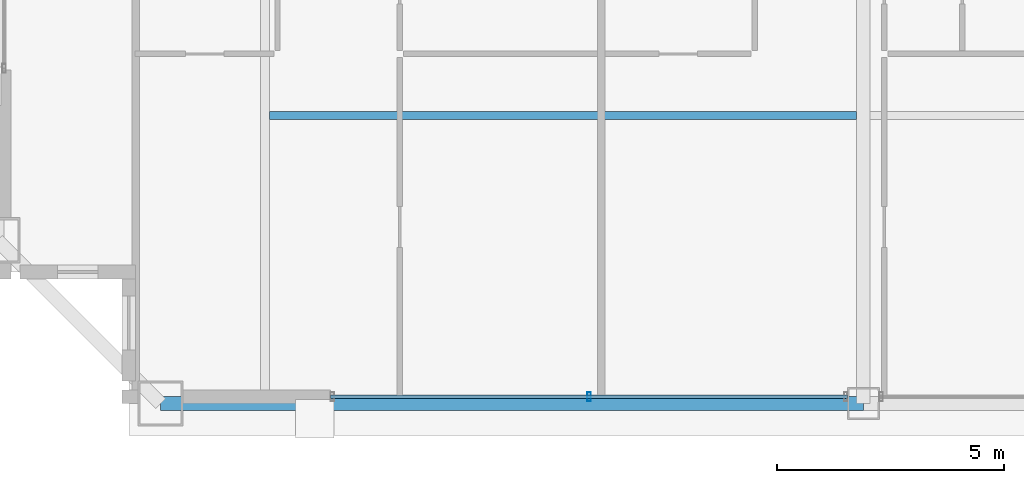
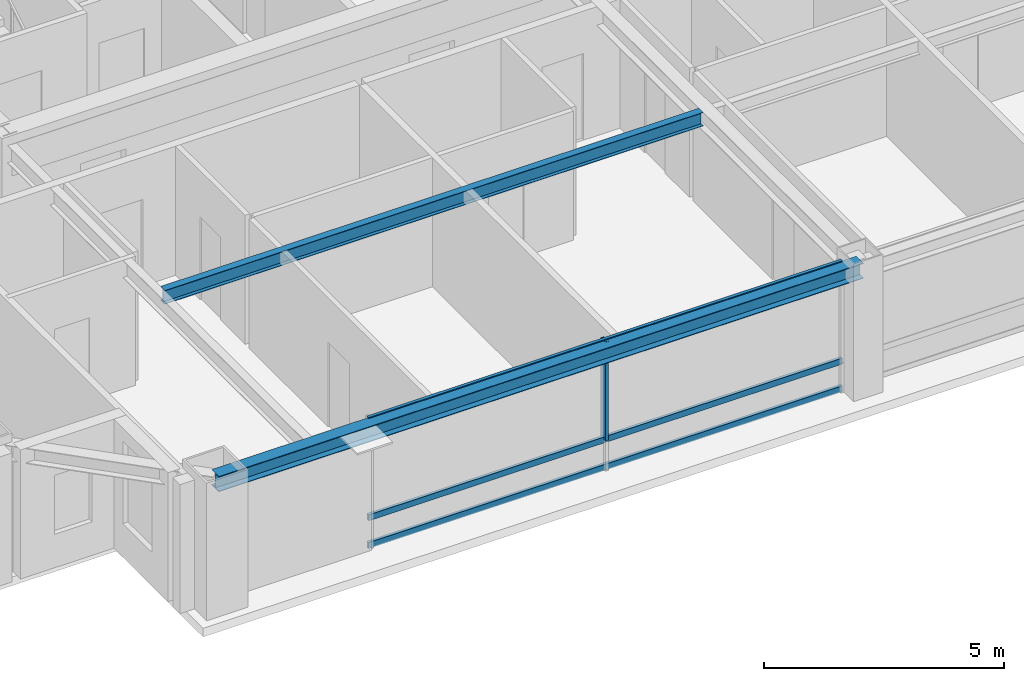
# One storey, part 5 of 35: 4 members, 2 beams, 1 element without a shape of its own.
"""IFC4 building model written with IfcOpenShell, lengths in metres."""

from ifc_helpers import new_model, si_unit, direction, frame, origin, origin_2d, place, context, subcontext, project, spatial, hollow_rectangle, i_section, extrude, source, transform, mapped, material, layer, layer_set, material_profile, profile_set, type_object, element, aggregate, save


model = new_model("IFC4")

# Units and contexts
model_context = context("Model", 3, precision=1e-05, world=origin(), true_north=direction((0.0, 1.0)))
body_context = subcontext(model_context, "Body", "Model", "MODEL_VIEW")
ifc_project = project(units=[si_unit("LENGTHUNIT", "METRE"), si_unit("AREAUNIT", "SQUARE_METRE"), si_unit("VOLUMEUNIT", "CUBIC_METRE"), si_unit("PLANEANGLEUNIT", "RADIAN"), si_unit("MASSUNIT", "GRAM", prefix="KILO"), si_unit("THERMODYNAMICTEMPERATUREUNIT", "KELVIN"), si_unit("POWERUNIT", "WATT")], contexts=[model_context])

# Site, building, storey
site_placement = place(None, origin())
site = spatial("IfcSite", under=ifc_project, at=site_placement, CompositionType="ELEMENT")
building_placement = place(site_placement, origin())
building = spatial("IfcBuilding", under=site, at=building_placement, Name="Yuzanri Waterfront Tower", CompositionType="ELEMENT")
storey_placement = place(building_placement, frame((0.0, 0.0, 318.199951171875)))
storey = spatial("IfcBuildingStorey", under=building, at=storey_placement, Name="L85", CompositionType="ELEMENT", Elevation=318.199951171875)

# Beams
ifc_material_1 = material(Name="Steel Q355B", Category="steel")
ifc_material_profile_1 = material_profile(ifc_material_1, i_section(OverallWidth=0.175048828125, OverallDepth=0.35009765625, WebThickness=0.007080078125, FlangeThickness=0.010986328125, at=origin_2d()), Name="HN 350x175x7x11")
ifc_profile_set_1 = profile_set([ifc_material_profile_1], Name="Steel Q355B")
beam_type_1 = type_object("IfcBeamType", Name="Floor Joist Q355B HN 350x175", PredefinedType="JOIST", material=ifc_profile_set_1)
shared_shape_1 = source(origin(), body_context, "Body", "SweptSolid", [
    extrude(i_section(OverallWidth=0.175048828125, OverallDepth=0.35009765625, WebThickness=0.007080078125, FlangeThickness=0.010986328125, at=origin_2d()), origin(), (0.0, 0.0, 1.0), 12.9501953125),
])
beam_1_placement = place(storey_placement, frame((23.89990234375, 13.050048828125, 3.10498046875), z_axis=(1.0, 0.0, 0.0), x_axis=(0.0, 1.0, 0.0)))
element("IfcBeam", 1, at=beam_1_placement, inside=storey, type_object=beam_type_1, Name="L85 South Bay Joist W", PredefinedType="JOIST", context=body_context, shape_type="MappedRepresentation", body=[
    mapped(shared_shape_1, transform((0.0, 0.0, 0.0), scale=1.0)),
])
ifc_material_2 = material(Name="Steel Q355B", Category="steel")
ifc_material_profile_2 = material_profile(ifc_material_2, i_section(OverallWidth=0.300048828125, OverallDepth=0.389892578125, WebThickness=0.010009765625, FlangeThickness=0.01611328125, at=origin_2d()), Name="HM 390x300x10x16")
ifc_profile_set_2 = profile_set([ifc_material_profile_2], Name="Steel Q355B")
beam_type_2 = type_object("IfcBeamType", Name="Perimeter Spandrel Q355B HM 390x300", PredefinedType="SPANDREL", material=ifc_profile_set_2)
shared_shape_2 = source(origin(), body_context, "Body", "SweptSolid", [
    extrude(i_section(OverallWidth=0.300048828125, OverallDepth=0.389892578125, WebThickness=0.010009765625, FlangeThickness=0.01611328125, at=origin_2d()), origin(), (0.0, 0.0, 1.0), 15.5),
])
beam_2_placement = place(storey_placement, frame((21.5, 6.699951171875, 3.0849609375), z_axis=(1.0, 0.0, 0.0), x_axis=(0.0, 1.0, 0.0)))
element("IfcBeam", 2, at=beam_2_placement, inside=storey, type_object=beam_type_2, Name="L85 Perimeter Spandrel S1-S2", PredefinedType="SPANDREL", context=body_context, shape_type="MappedRepresentation", body=[
    mapped(shared_shape_2, transform((0.0, 0.0, 0.0), scale=1.0)),
])

# Curtain wall, members
ifc_material_3 = material(Name="Anodized Architectural Bronze", Category="metal")
ifc_layer = layer(ifc_material_3, 0.159912109375)
ifc_layer_set = layer_set([ifc_layer], Name="Anodized Architectural Bronze")
curtain_wall_type = type_object("IfcCurtainWallType", Name="Anodized Bronze High-Rise Penthouse High-Wind Unitized Curtain Wall 6900", PredefinedType="NOTDEFINED", material=ifc_layer_set)
curtain_wall_placement = place(storey_placement, origin())
curtain_wall = element("IfcCurtainWall", 3, at=curtain_wall_placement, inside=storey, type_object=curtain_wall_type, Name="L85 Curtain Wall CW-L85-SL", PredefinedType="NOTDEFINED")
ifc_material_4 = material(Name="Anodized Architectural Bronze", Category="metal")
ifc_material_profile_3 = material_profile(ifc_material_4, hollow_rectangle(XDim=0.074951171875, YDim=0.199951171875, WallThickness=0.00390625, at=origin_2d()), Name="CWM 75x200")
ifc_profile_set_3 = profile_set([ifc_material_profile_3], Name="Anodized Architectural Bronze")
member_type_1 = type_object("IfcMemberType", Name="Anodized Bronze Primary Curtain-Wall Mullion 75x200", PredefinedType="MULLION", material=ifc_profile_set_3)
shared_shape_3 = source(origin(), body_context, "Body", "SweptSolid", [
    extrude(hollow_rectangle(XDim=0.074951171875, YDim=0.199951171875, WallThickness=0.00390625, at=origin_2d()), origin(), (0.0, 0.0, 1.0), 2.52392578125),
])
member_1_placement = place(storey_placement, frame((30.949951171875, 6.85009765625, 0.756103515625), z_axis=(0.0, 0.0, 1.0), x_axis=(1.0, 0.0, 0.0)))
member_1 = element("IfcMember", 4, at=member_1_placement, type_object=member_type_1, Name="CW-L85-SL Upper Mullion 01", PredefinedType="MULLION", context=body_context, shape_type="MappedRepresentation", body=[
    mapped(shared_shape_3, transform((0.0, 0.0, 0.0), scale=1.0)),
])
ifc_material_5 = material(Name="Anodized Architectural Bronze", Category="metal")
ifc_material_profile_4 = material_profile(ifc_material_5, hollow_rectangle(XDim=0.074951171875, YDim=0.14990234375, WallThickness=0.00390625, at=origin_2d()), Name="CWT 75x150")
ifc_profile_set_4 = profile_set([ifc_material_profile_4], Name="Anodized Architectural Bronze")
member_type_2 = type_object("IfcMemberType", Name="Anodized Bronze Primary Curtain-Wall Transom 75x150", PredefinedType="USERDEFINED", material=ifc_profile_set_4)
shared_shape_4 = source(origin(), body_context, "Body", "SweptSolid", [
    extrude(hollow_rectangle(XDim=0.074951171875, YDim=0.14990234375, WallThickness=0.00390625, at=origin_2d()), origin(), (0.0, 0.0, 1.0), 11.39990234375),
])
member_2_placement = place(storey_placement, frame((25.25, 6.85009765625, 0.050048828125), z_axis=(1.0, 0.0, 0.0), x_axis=(0.0, 1.0, 0.0)))
member_2 = element("IfcMember", 5, at=member_2_placement, type_object=member_type_2, Name="CW-L85-SL Transom 1", ObjectType="TRANSOM", PredefinedType="USERDEFINED", context=body_context, shape_type="MappedRepresentation", body=[
    mapped(shared_shape_4, transform((0.0, 0.0, 0.0), scale=1.0)),
])
member_3_placement = place(storey_placement, frame((25.25, 6.85009765625, 0.754150390625), z_axis=(1.0, 0.0, 0.0), x_axis=(0.0, 1.0, 0.0)))
member_3 = element("IfcMember", 6, at=member_3_placement, type_object=member_type_2, Name="CW-L85-SL Transom 2", ObjectType="TRANSOM", PredefinedType="USERDEFINED", context=body_context, shape_type="MappedRepresentation", body=[
    mapped(shared_shape_4, transform((0.0, 0.0, 0.0), scale=1.0)),
])
member_4_placement = place(storey_placement, frame((25.25, 6.85009765625, 3.22998046875), z_axis=(1.0, 0.0, 0.0), x_axis=(0.0, 1.0, 0.0)))
member_4 = element("IfcMember", 7, at=member_4_placement, type_object=member_type_2, Name="CW-L85-SL Transom 3", ObjectType="TRANSOM", PredefinedType="USERDEFINED", context=body_context, shape_type="MappedRepresentation", body=[
    mapped(shared_shape_4, transform((0.0, 0.0, 0.0), scale=1.0)),
])
aggregate(curtain_wall, [member_1, member_2, member_3, member_4])

save(model, "model.ifc")
